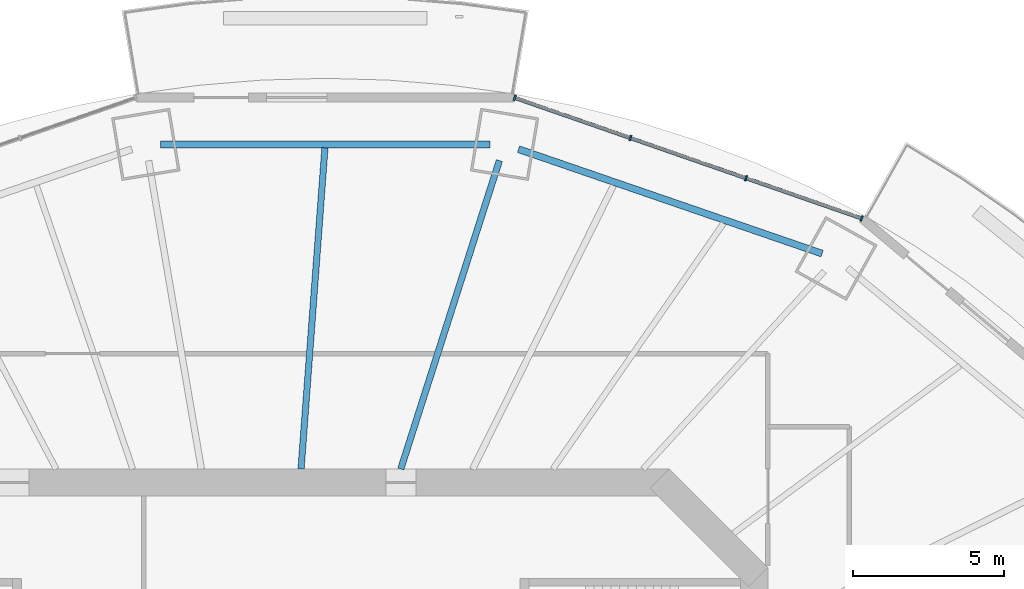
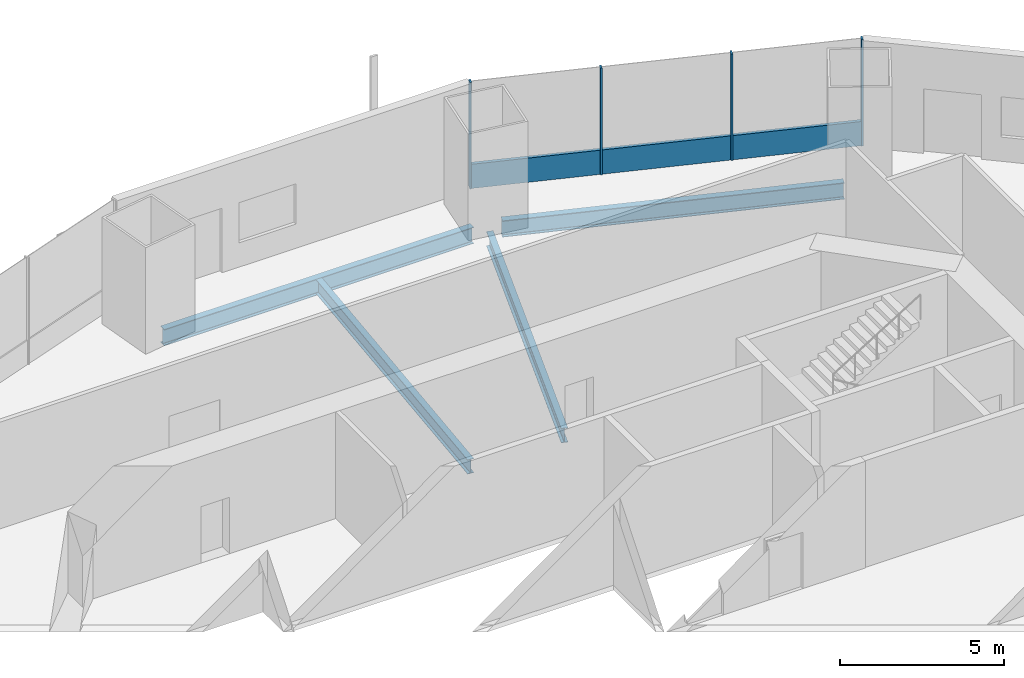
# One storey, part 8 of 20: 5 members, 4 beams, 1 element without a shape of its own.
"""IFC4 building model written with IfcOpenShell, lengths in metres."""

from ifc_helpers import new_model, si_unit, direction, frame, origin, origin_2d, place, context, subcontext, project, spatial, rectangle, i_section, extrude, material, material_profile, profile_set, type_object, element, aggregate, save


model = new_model("IFC4")

# Units and contexts
model_context = context("Model", 3, precision=1e-05, world=origin(), true_north=direction((0.0, 1.0)))
body_context = subcontext(model_context, "Body", "Model", "MODEL_VIEW")
ifc_project = project(units=[si_unit("LENGTHUNIT", "METRE"), si_unit("AREAUNIT", "SQUARE_METRE"), si_unit("VOLUMEUNIT", "CUBIC_METRE"), si_unit("PLANEANGLEUNIT", "RADIAN"), si_unit("MASSUNIT", "GRAM", prefix="KILO")], contexts=[model_context])

# Site, building, storey
site_placement = place(None, origin())
site = spatial("IfcSite", under=ifc_project, at=site_placement, CompositionType="ELEMENT")
building_placement = place(site_placement, origin())
building = spatial("IfcBuilding", under=site, at=building_placement, Name="Marenthal Gate Tower", CompositionType="ELEMENT")
storey_placement = place(building_placement, frame((0.0, 0.0, 185.949951171875)))
storey = spatial("IfcBuildingStorey", under=building, at=storey_placement, Name="L40", CompositionType="ELEMENT", Elevation=185.949951171875)

# Curtain wall, members
ifc_material_1 = material(Name="Aluminium and glass", Category="aluminium")
curtain_wall_type = type_object("IfcCurtainWallType", Name="Curtain wall typical mid", PredefinedType="NOTDEFINED", material=ifc_material_1)
curtain_wall_placement = place(storey_placement, origin())
curtain_wall = element("IfcCurtainWall", 1, at=curtain_wall_placement, inside=storey, type_object=curtain_wall_type, Name="Curtain wall L40 bay 3", PredefinedType="NOTDEFINED")
ifc_material_2 = material(Name="Aluminium", Category="aluminium")
ifc_material_profile_1 = material_profile(ifc_material_2, rectangle(XDim=0.179931640625, YDim=0.06005859375, at=origin_2d()), Name="60x180 aluminium mullion")
ifc_profile_set_1 = profile_set([ifc_material_profile_1], Name="Aluminium")
member_type_1 = type_object("IfcMemberType", Name="Mullion 60x180 typical mid", PredefinedType="MULLION", material=ifc_profile_set_1)
member_1_placement = place(storey_placement, frame((19.558349609375, 21.743896484375, 0.0), z_axis=(0.0, 0.0, 1.0), x_axis=(-0.328273001535, -0.944582890203, 0.0)))
member_1 = element("IfcMember", 2, at=member_1_placement, type_object=member_type_1, Name="Mullion L40 bay 3.1", PredefinedType="MULLION", context=body_context, shape_type="SweptSolid", body=[
    extrude(rectangle(XDim=0.179931640625, YDim=0.06005859375, at=origin_2d()), origin(), (0.0, 0.0, 1.0), 3.969970703125),
])
member_2_placement = place(storey_placement, frame((15.730224609375, 23.07421875, 0.0), z_axis=(0.0, 0.0, 1.0), x_axis=(-0.328273001535, -0.944582890203, 0.0)))
member_2 = element("IfcMember", 3, at=member_2_placement, type_object=member_type_1, Name="Mullion L40 bay 3.2", PredefinedType="MULLION", context=body_context, shape_type="SweptSolid", body=[
    extrude(rectangle(XDim=0.179931640625, YDim=0.06005859375, at=origin_2d()), origin(), (0.0, 0.0, 1.0), 3.969970703125),
])
member_3_placement = place(storey_placement, frame((11.902099609375, 24.40478515625, 0.0), z_axis=(0.0, 0.0, 1.0), x_axis=(-0.328273001535, -0.944582890203, 0.0)))
member_3 = element("IfcMember", 4, at=member_3_placement, type_object=member_type_1, Name="Mullion L40 bay 3.3", PredefinedType="MULLION", context=body_context, shape_type="SweptSolid", body=[
    extrude(rectangle(XDim=0.179931640625, YDim=0.06005859375, at=origin_2d()), origin(), (0.0, 0.0, 1.0), 3.969970703125),
])
member_4_placement = place(storey_placement, frame((8.07421875, 25.735107421875, 0.0), z_axis=(0.0, 0.0, 1.0), x_axis=(-0.328273001535, -0.944582890203, 0.0)))
member_4 = element("IfcMember", 5, at=member_4_placement, type_object=member_type_1, Name="Mullion L40 bay 3.4", PredefinedType="MULLION", context=body_context, shape_type="SweptSolid", body=[
    extrude(rectangle(XDim=0.179931640625, YDim=0.06005859375, at=origin_2d()), origin(), (0.0, 0.0, 1.0), 3.969970703125),
])
ifc_material_3 = material(Name="Aluminium", Category="aluminium")
ifc_material_profile_2 = material_profile(ifc_material_3, rectangle(XDim=0.1201171875, YDim=0.89990234375, at=origin_2d()), Name="120x900 aluminium transom")
ifc_profile_set_2 = profile_set([ifc_material_profile_2], Name="Aluminium")
member_type_2 = type_object("IfcMemberType", Name="Transom 120x900 typical mid", PredefinedType="USERDEFINED", material=ifc_profile_set_2)
member_5_placement = place(storey_placement, frame((19.530029296875, 21.75390625, 0.449951171875), z_axis=(-0.944588780023, 0.328256053493, 0.0), x_axis=(-0.328256053493, -0.944588780023, 0.0)))
member_5 = element("IfcMember", 6, at=member_5_placement, type_object=member_type_2, Name="Transom L40 bay 3", ObjectType="TRANSOM", PredefinedType="USERDEFINED", context=body_context, shape_type="SweptSolid", body=[
    extrude(rectangle(XDim=0.1201171875, YDim=0.89990234375, at=origin_2d()), origin(), (0.0, 0.0, 1.0), 12.097900390625),
])
aggregate(curtain_wall, [member_1, member_2, member_3, member_4, member_5])

# Beams
ifc_material_4 = material(Name="Steel S355", Category="steel")
ifc_material_profile_3 = material_profile(ifc_material_4, i_section(OverallWidth=0.2099609375, OverallDepth=0.535888671875, WebThickness=0.010986328125, FlangeThickness=0.017333984375, FilletRadius=0.0126953125, at=origin_2d()), Name="W530X101")
ifc_profile_set_3 = profile_set([ifc_material_profile_3], Name="Steel S355")
beam_type_1 = type_object("IfcBeamType", Name="W530X101 beam", PredefinedType="BEAM", material=ifc_profile_set_3)
beam_1_placement = place(storey_placement, frame((1.79150390625, 24.080810546875, -0.447998046875), z_axis=(-0.074202369595, -0.997243204212, 0.0), x_axis=(0.997243204212, -0.074202369595, 0.0)))
element("IfcBeam", 7, at=beam_1_placement, inside=storey, type_object=beam_type_1, Name="BM-L40-22", PredefinedType="BEAM", context=body_context, shape_type="SweptSolid", body=[
    extrude(i_section(OverallWidth=0.2099609375, OverallDepth=0.535888671875, WebThickness=0.010986328125, FlangeThickness=0.017333984375, FilletRadius=0.0126953125, at=origin_2d()), origin(), (0.0, 0.0, 1.0), 10.66015625),
])
ifc_material_5 = material(Name="Steel S355", Category="steel")
ifc_material_profile_4 = material_profile(ifc_material_5, i_section(OverallWidth=0.2119140625, OverallDepth=0.5439453125, WebThickness=0.01318359375, FlangeThickness=0.021240234375, FilletRadius=0.0126953125, at=origin_2d()), Name="W530X123")
ifc_profile_set_4 = profile_set([ifc_material_profile_4], Name="Steel S355")
beam_type_2 = type_object("IfcBeamType", Name="W530X123 beam", PredefinedType="BEAM", material=ifc_profile_set_4)
beam_2_placement = place(storey_placement, frame((7.566650390625, 23.66064453125, -0.451904296875), z_axis=(-0.304603016071, -0.952479397468, 0.0), x_axis=(0.952479397468, -0.304603016071, 0.0)))
element("IfcBeam", 8, at=beam_2_placement, inside=storey, type_object=beam_type_2, Name="BM-L40-04", PredefinedType="BEAM", context=body_context, shape_type="SweptSolid", body=[
    extrude(i_section(OverallWidth=0.2119140625, OverallDepth=0.5439453125, WebThickness=0.01318359375, FlangeThickness=0.021240234375, FilletRadius=0.0126953125, at=origin_2d()), origin(), (0.0, 0.0, 1.0), 10.72021484375),
])
ifc_material_6 = material(Name="Steel S355", Category="steel")
ifc_material_profile_5 = material_profile(ifc_material_6, i_section(OverallWidth=0.22900390625, OverallDepth=0.612060546875, WebThickness=0.011962890625, FlangeThickness=0.01953125, FilletRadius=0.0126953125, at=origin_2d()), Name="W610X125")
ifc_profile_set_5 = profile_set([ifc_material_profile_5], Name="Steel S355")
beam_type_3 = type_object("IfcBeamType", Name="W610X125 beam", PredefinedType="BEAM", material=ifc_profile_set_5)
beam_3_placement = place(storey_placement, frame((18.245361328125, 20.579833984375, -0.48583984375), z_axis=(-0.945594274162, 0.325348226785, 0.0), x_axis=(-0.325348226785, -0.945594274162, 0.0)))
element("IfcBeam", 9, at=beam_3_placement, inside=storey, type_object=beam_type_3, Name="BM-L40-43", PredefinedType="BEAM", context=body_context, shape_type="SweptSolid", body=[
    extrude(i_section(OverallWidth=0.22900390625, OverallDepth=0.612060546875, WebThickness=0.011962890625, FlangeThickness=0.01953125, FilletRadius=0.0126953125, at=origin_2d()), origin(), (0.0, 0.0, 1.0), 10.623291015625),
])
beam_4_placement = place(storey_placement, frame((7.24951171875, 24.1953125, -0.48583984375), z_axis=(-1.0, 0.0, 0.0), x_axis=(0.0, -1.0, 0.0)))
element("IfcBeam", 10, at=beam_4_placement, inside=storey, type_object=beam_type_3, Name="BM-L40-44", PredefinedType="BEAM", context=body_context, shape_type="SweptSolid", body=[
    extrude(i_section(OverallWidth=0.22900390625, OverallDepth=0.612060546875, WebThickness=0.011962890625, FlangeThickness=0.01953125, FilletRadius=0.0126953125, at=origin_2d()), origin(), (0.0, 0.0, 1.0), 10.89892578125),
])

save(model, "model.ifc")
